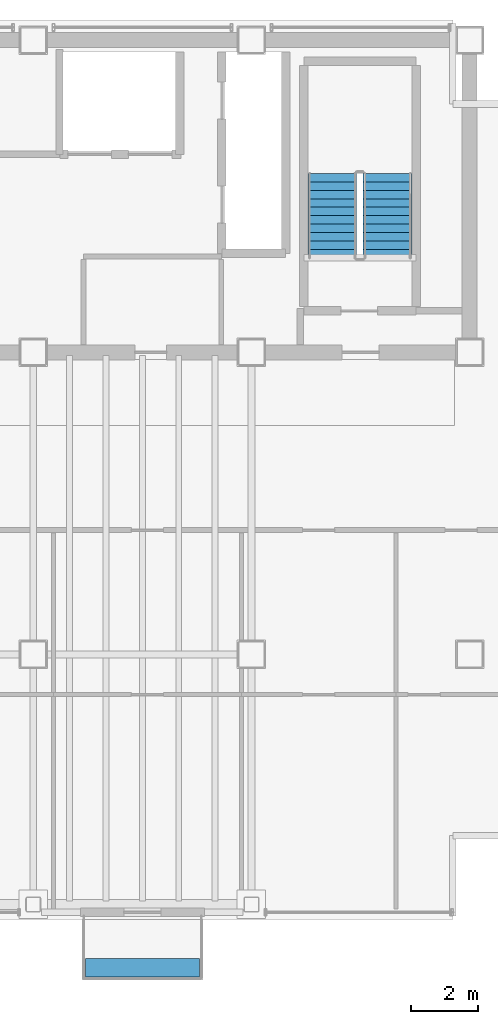
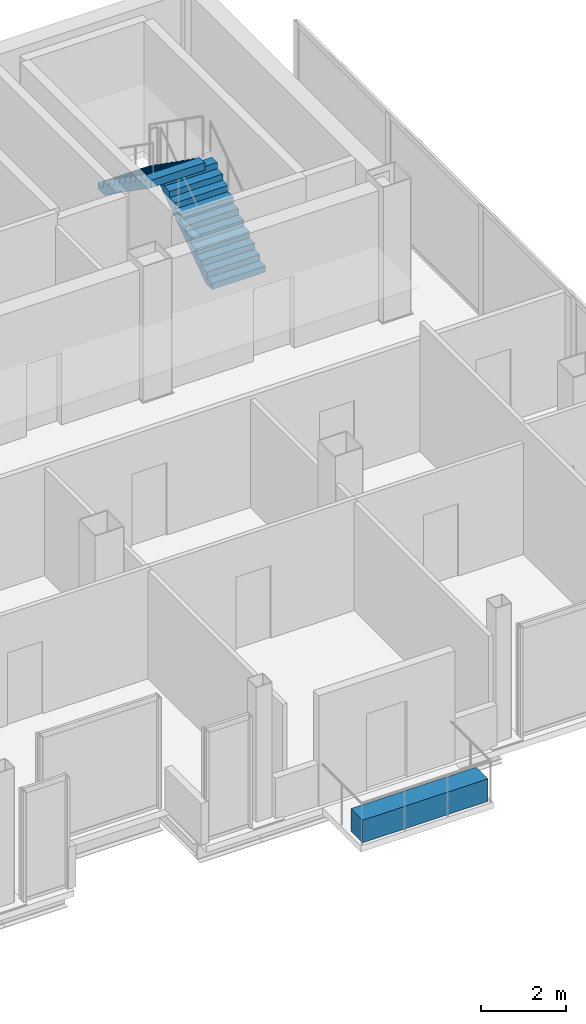
# One storey, part 16 of 17: 2 stair flights, 1 discrete accessory, 1 element without a shape of its own.
"""IFC4 building model written with IfcOpenShell, lengths in metres."""

from ifc_helpers import new_model, si_unit, direction, frame, origin, origin_2d, place, context, subcontext, project, spatial, polyline, rectangle, outline, extrude, material, layer, layer_set, type_object, element, aggregate, save


model = new_model("IFC4")

# Units and contexts
model_context = context("Model", 3, precision=1e-05, world=origin(), true_north=direction((0.0, 1.0)))
body_context = subcontext(model_context, "Body", "Model", "MODEL_VIEW")
ifc_project = project(units=[si_unit("LENGTHUNIT", "METRE"), si_unit("AREAUNIT", "SQUARE_METRE"), si_unit("VOLUMEUNIT", "CUBIC_METRE"), si_unit("PLANEANGLEUNIT", "RADIAN"), si_unit("MASSUNIT", "GRAM", prefix="KILO")], contexts=[model_context])

# Site, building, storey
site_placement = place(None, origin())
site = spatial("IfcSite", under=ifc_project, at=site_placement, CompositionType="ELEMENT")
building_placement = place(site_placement, origin())
building = spatial("IfcBuilding", under=site, at=building_placement, Name="Noeulbin Bourse Tower", CompositionType="ELEMENT")
storey_placement = place(building_placement, frame((0.0, 0.0, 250.10009765625)))
storey = spatial("IfcBuildingStorey", under=building, at=storey_placement, Name="L62", CompositionType="ELEMENT", Elevation=250.10009765625)

# Stair, stair flights
ifc_material_1 = material(Name="Concrete C40/50", Category="concrete")
stair_type = type_object("IfcStairType", Name="STR-CORE-1560", PredefinedType="HALF_TURN_STAIR", material=ifc_material_1)
stair_placement = place(storey_placement, origin())
stair = element("IfcStair", 1, at=stair_placement, inside=storey, type_object=stair_type, Name="L62 ST-2", PredefinedType="HALF_TURN_STAIR")
stair_flight_type = type_object("IfcStairFlightType", Name="SFL-CORE-1560", PredefinedType="STRAIGHT", material=ifc_material_1)
stair_flight_1_placement = place(storey_placement, frame((41.554931640625, 31.81005859375, 0.0), z_axis=(0.0, 0.0, 1.0), x_axis=(0.0, 1.0, 0.0)))
stair_flight_1 = element("IfcStairFlight", 2, at=stair_flight_1_placement, type_object=stair_flight_type, Name="ST-2 flight 1", NumberOfRisers=11, NumberOfTreads=10, PredefinedType="STRAIGHT", RiserHeight=0.177272727, TreadLength=0.252, context=body_context, shape_type="SweptSolid", body=[
    extrude(outline(polyline([(0.0, 0.0), (0.0, 0.17724609375), (0.251953125, 0.17724609375), (0.251953125, 0.3544921875), (0.50390625, 0.3544921875), (0.50390625, 0.53173828125), (0.756103515625, 0.53173828125), (0.756103515625, 0.708984375), (1.008056640625, 0.708984375), (1.008056640625, 0.886474609375), (1.260009765625, 0.886474609375), (1.260009765625, 1.063720703125), (1.511962890625, 1.063720703125), (1.511962890625, 1.240966796875), (1.763916015625, 1.240966796875), (1.763916015625, 1.418212890625), (2.01611328125, 1.418212890625), (2.01611328125, 1.595458984375), (2.26806640625, 1.595458984375), (2.26806640625, 1.772705078125), (2.52001953125, 1.772705078125), (2.52001953125, 1.949951171875), (2.52001953125, 1.552734375), (0.312744140625, 0.0), (0.0, 0.0)])), frame((0.0, 0.72509765625, 0.0), z_axis=(0.0, -1.0, 0.0), x_axis=(1.0, 0.0, 0.0)), (0.0, 0.0, 1.0), 1.449951171875),
])
stair_flight_2_placement = place(storey_placement, frame((39.905029296875, 34.330078125, 1.949951171875), z_axis=(0.0, 0.0, 1.0), x_axis=(0.0, -1.0, 0.0)))
stair_flight_2 = element("IfcStairFlight", 3, at=stair_flight_2_placement, type_object=stair_flight_type, Name="ST-2 flight 2", NumberOfRisers=11, NumberOfTreads=10, PredefinedType="STRAIGHT", RiserHeight=0.177272727, TreadLength=0.252, context=body_context, shape_type="SweptSolid", body=[
    extrude(outline(polyline([(0.0, 0.0), (0.0, 0.17724609375), (0.251953125, 0.17724609375), (0.251953125, 0.3544921875), (0.50390625, 0.3544921875), (0.50390625, 0.53173828125), (0.756103515625, 0.53173828125), (0.756103515625, 0.708984375), (1.008056640625, 0.708984375), (1.008056640625, 0.886474609375), (1.260009765625, 0.886474609375), (1.260009765625, 1.063720703125), (1.511962890625, 1.063720703125), (1.511962890625, 1.240966796875), (1.763916015625, 1.240966796875), (1.763916015625, 1.418212890625), (2.01611328125, 1.418212890625), (2.01611328125, 1.595458984375), (2.26806640625, 1.595458984375), (2.26806640625, 1.772705078125), (2.52001953125, 1.772705078125), (2.52001953125, 1.949951171875), (2.52001953125, 1.552734375), (0.312744140625, 0.0), (0.0, 0.0)])), frame((0.0, 0.72509765625, 0.0), z_axis=(0.0, -1.0, 0.0), x_axis=(1.0, 0.0, 0.0)), (0.0, 0.0, 1.0), 1.449951171875),
])
aggregate(stair, [stair_flight_1, stair_flight_2])

# Discrete accessory
ifc_material_2 = material(Name="Architectural GFRC Concrete C40/50", Category="concrete")
ifc_layer = layer(ifc_material_2, 0.64990234375)
ifc_layer_set = layer_set([ifc_layer], Name="Architectural GFRC Concrete C40/50")
discrete_accessory_type = type_object("IfcDiscreteAccessoryType", Name="PLANTER-BOX-3600", PredefinedType="USERDEFINED", material=ifc_layer_set)
discrete_accessory_placement = place(storey_placement, frame((34.25, 10.659912109375, 0.0), z_axis=(0.0, 0.0, 1.0), x_axis=(1.0, 0.0, 0.0)))
element("IfcDiscreteAccessory", 4, at=discrete_accessory_placement, inside=storey, type_object=discrete_accessory_type, Name="Integrated Balcony Tree Planter Box L62", ObjectType="PLANTER", PredefinedType="USERDEFINED", context=body_context, shape_type="SweptSolid", body=[
    extrude(rectangle(XDim=3.39990234375, YDim=0.550048828125, at=origin_2d()), origin(), (0.0, 0.0, 1.0), 0.64990234375),
])

save(model, "model.ifc")
